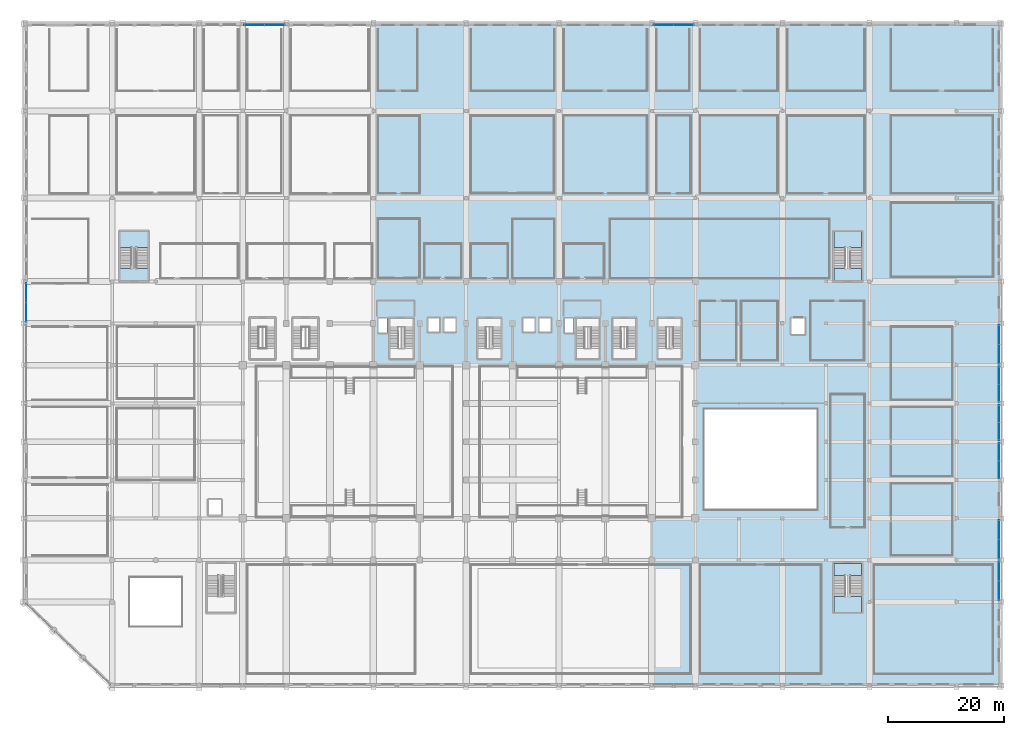
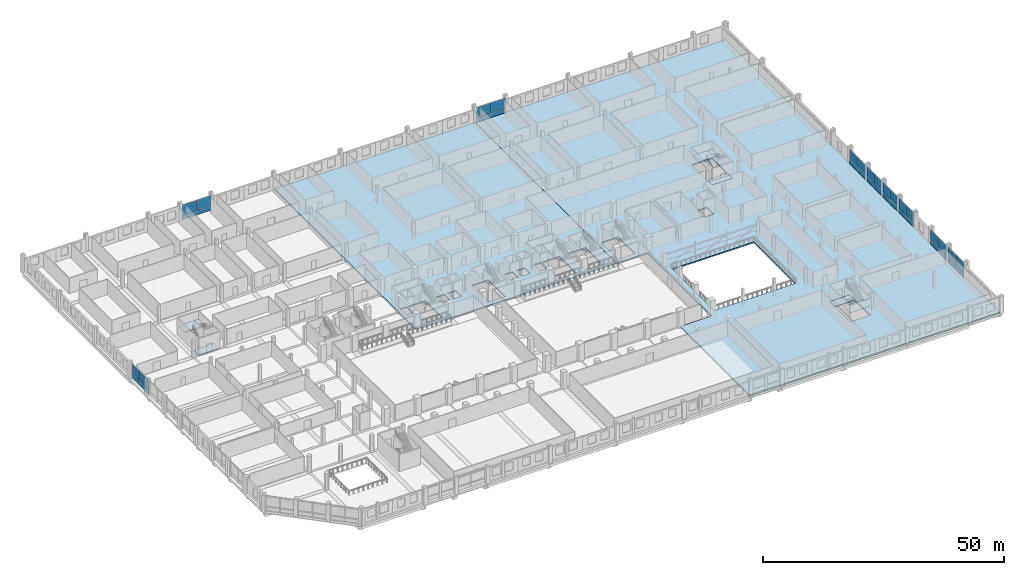
# One storey, part 40 of 68: 27 plates, 8 slabs, 12 elements without a shape of their own.
"""IFC4 building model written with IfcOpenShell, lengths in metres."""

from ifc_helpers import new_model, si_unit, direction, frame, origin, origin_2d, place, context, subcontext, project, spatial, polyline, rectangle, outline, extrude, material, layer, layer_set, type_object, element, aggregate, save


model = new_model("IFC4")

# Units and contexts
model_context = context("Model", 3, precision=1e-05, world=origin(), true_north=direction((0.0, 1.0)))
body_context = subcontext(model_context, "Body", "Model", "MODEL_VIEW")
ifc_project = project(units=[si_unit("LENGTHUNIT", "METRE"), si_unit("AREAUNIT", "SQUARE_METRE"), si_unit("VOLUMEUNIT", "CUBIC_METRE"), si_unit("PLANEANGLEUNIT", "RADIAN"), si_unit("MASSUNIT", "GRAM", prefix="KILO")], contexts=[model_context])

# Site, building, storey
site_placement = place(None, origin())
site = spatial("IfcSite", under=ifc_project, at=site_placement, CompositionType="ELEMENT")
building_placement = place(site_placement, origin())
building = spatial("IfcBuilding", under=site, at=building_placement, Name="Akrevak Sports Hall", CompositionType="ELEMENT")
storey_placement = place(building_placement, frame((0.0, 0.0, 9.39990234375)))
storey = spatial("IfcBuildingStorey", under=building, at=storey_placement, Name="L02", CompositionType="ELEMENT", Elevation=9.39990234375)

# Curtain wall, plates
ifc_material_1 = material(Name="Anodized Bronze Aluminium & Low-E Glass", Category="aluminium")
curtain_wall_type_1 = type_object("IfcCurtainWallType", Name="ARC-CW-POD-70x42", PredefinedType="NOTDEFINED", material=ifc_material_1)
curtain_wall_1_placement = place(storey_placement, origin())
curtain_wall_1 = element("IfcCurtainWall", 1, at=curtain_wall_1_placement, inside=storey, type_object=curtain_wall_type_1, Name="Curtain Wall CW-L02-N06", PredefinedType="NOTDEFINED")
ifc_material_2 = material(Name="Double Low-E Tempered Glass", Category="glass")
ifc_layer_1 = layer(ifc_material_2, 0.035888671875, Name="Double Low-E Tempered Glass")
ifc_layer_set_1 = layer_set([ifc_layer_1], Name="Double Low-E Tempered Glass")
plate_type_1 = type_object("IfcPlateType", Name="ARC-CWP-GLZ-36", PredefinedType="CURTAIN_PANEL", material=ifc_layer_set_1)
plate_1_placement = place(storey_placement, frame((42.987548828125, 113.820068359375, 1.14990234375), z_axis=(0.0, 0.0, 1.0), x_axis=(-1.0, 0.0, 0.0)))
plate_1 = element("IfcPlate", 2, at=plate_1_placement, type_object=plate_type_1, Name="Vision Glass Panel CW-L02-N06-G1", PredefinedType="CURTAIN_PANEL", context=body_context, shape_type="SweptSolid", body=[
    extrude(rectangle(XDim=3.47509765625, YDim=0.035888671875, at=origin_2d()), origin(), (0.0, 0.0, 1.0), 2.590087890625),
])
plate_2_placement = place(storey_placement, frame((39.512451171875, 113.820068359375, 1.14990234375), z_axis=(0.0, 0.0, 1.0), x_axis=(-1.0, 0.0, 0.0)))
plate_2 = element("IfcPlate", 3, at=plate_2_placement, type_object=plate_type_1, Name="Vision Glass Panel CW-L02-N06-G2", PredefinedType="CURTAIN_PANEL", context=body_context, shape_type="SweptSolid", body=[
    extrude(rectangle(XDim=3.47509765625, YDim=0.035888671875, at=origin_2d()), origin(), (0.0, 0.0, 1.0), 2.590087890625),
])

curtain_wall_2_placement = place(storey_placement, origin())
curtain_wall_2 = element("IfcCurtainWall", 4, at=curtain_wall_2_placement, inside=storey, type_object=curtain_wall_type_1, Name="Curtain Wall CW-L02-N15", PredefinedType="NOTDEFINED")
plate_3_placement = place(storey_placement, frame((113.49365234375, 113.820068359375, 1.14990234375), z_axis=(0.0, 0.0, 1.0), x_axis=(-1.0, 0.0, 0.0)))
plate_3 = element("IfcPlate", 5, at=plate_3_placement, type_object=plate_type_1, Name="Vision Glass Panel CW-L02-N15-G1", PredefinedType="CURTAIN_PANEL", context=body_context, shape_type="SweptSolid", body=[
    extrude(rectangle(XDim=3.46240234375, YDim=0.035888671875, at=origin_2d()), origin(), (0.0, 0.0, 1.0), 2.590087890625),
])
plate_4_placement = place(storey_placement, frame((110.03125, 113.820068359375, 1.14990234375), z_axis=(0.0, 0.0, 1.0), x_axis=(-1.0, 0.0, 0.0)))
plate_4 = element("IfcPlate", 6, at=plate_4_placement, type_object=plate_type_1, Name="Vision Glass Panel CW-L02-N15-G2", PredefinedType="CURTAIN_PANEL", context=body_context, shape_type="SweptSolid", body=[
    extrude(rectangle(XDim=3.46240234375, YDim=0.035888671875, at=origin_2d()), origin(), (0.0, 0.0, 1.0), 2.590087890625),
])

curtain_wall_type_2 = type_object("IfcCurtainWallType", Name="ARC-CW-POD-64x42", PredefinedType="NOTDEFINED", material=ifc_material_1)
curtain_wall_3_placement = place(storey_placement, origin())
curtain_wall_3 = element("IfcCurtainWall", 7, at=curtain_wall_3_placement, inside=storey, type_object=curtain_wall_type_2, Name="Curtain Wall CW-L02-W08", PredefinedType="NOTDEFINED")
plate_5_placement = place(storey_placement, frame((0.179931640625, 67.668701171875, 1.14990234375), z_axis=(0.0, 0.0, 1.0), x_axis=(0.0, -1.0, 0.0)))
plate_5 = element("IfcPlate", 8, at=plate_5_placement, type_object=plate_type_1, Name="Vision Glass Panel CW-L02-W08-G1", PredefinedType="CURTAIN_PANEL", context=body_context, shape_type="SweptSolid", body=[
    extrude(rectangle(XDim=3.3125, YDim=0.035888671875, at=origin_2d()), origin(), (0.0, 0.0, 1.0), 2.590087890625),
])
plate_6_placement = place(storey_placement, frame((0.179931640625, 64.356201171875, 1.14990234375), z_axis=(0.0, 0.0, 1.0), x_axis=(0.0, -1.0, 0.0)))
plate_6 = element("IfcPlate", 9, at=plate_6_placement, type_object=plate_type_1, Name="Vision Glass Panel CW-L02-W08-G2", PredefinedType="CURTAIN_PANEL", context=body_context, shape_type="SweptSolid", body=[
    extrude(rectangle(XDim=3.3125, YDim=0.035888671875, at=origin_2d()), origin(), (0.0, 0.0, 1.0), 2.590087890625),
])

curtain_wall_4_placement = place(storey_placement, origin())
curtain_wall_4 = element("IfcCurtainWall", 10, at=curtain_wall_4_placement, inside=storey, type_object=curtain_wall_type_2, Name="Curtain Wall CW-L02-E03", PredefinedType="NOTDEFINED")
plate_7_placement = place(storey_placement, frame((167.820068359375, 16.356201171875, 1.14990234375), z_axis=(0.0, 0.0, 1.0), x_axis=(0.0, 1.0, 0.0)))
plate_7 = element("IfcPlate", 11, at=plate_7_placement, type_object=plate_type_1, Name="Vision Glass Panel CW-L02-E03-G1", PredefinedType="CURTAIN_PANEL", context=body_context, shape_type="SweptSolid", body=[
    extrude(rectangle(XDim=3.3125, YDim=0.035888671875, at=origin_2d()), origin(), (0.0, 0.0, 1.0), 2.590087890625),
])
plate_8_placement = place(storey_placement, frame((167.820068359375, 19.668701171875, 1.14990234375), z_axis=(0.0, 0.0, 1.0), x_axis=(0.0, 1.0, 0.0)))
plate_8 = element("IfcPlate", 12, at=plate_8_placement, type_object=plate_type_1, Name="Vision Glass Panel CW-L02-E03-G2", PredefinedType="CURTAIN_PANEL", context=body_context, shape_type="SweptSolid", body=[
    extrude(rectangle(XDim=3.3125, YDim=0.035888671875, at=origin_2d()), origin(), (0.0, 0.0, 1.0), 2.590087890625),
])

curtain_wall_5_placement = place(storey_placement, origin())
curtain_wall_5 = element("IfcCurtainWall", 13, at=curtain_wall_5_placement, inside=storey, type_object=curtain_wall_type_2, Name="Curtain Wall CW-L02-E04", PredefinedType="NOTDEFINED")
plate_9_placement = place(storey_placement, frame((167.820068359375, 23.53125, 1.14990234375), z_axis=(0.0, 0.0, 1.0), x_axis=(0.0, 1.0, 0.0)))
plate_9 = element("IfcPlate", 14, at=plate_9_placement, type_object=plate_type_1, Name="Vision Glass Panel CW-L02-E04-G1", PredefinedType="CURTAIN_PANEL", context=body_context, shape_type="SweptSolid", body=[
    extrude(rectangle(XDim=3.3125, YDim=0.035888671875, at=origin_2d()), origin(), (0.0, 0.0, 1.0), 2.590087890625),
])
plate_10_placement = place(storey_placement, frame((167.820068359375, 26.84375, 1.14990234375), z_axis=(0.0, 0.0, 1.0), x_axis=(0.0, 1.0, 0.0)))
plate_10 = element("IfcPlate", 15, at=plate_10_placement, type_object=plate_type_1, Name="Vision Glass Panel CW-L02-E04-G2", PredefinedType="CURTAIN_PANEL", context=body_context, shape_type="SweptSolid", body=[
    extrude(rectangle(XDim=3.3125, YDim=0.035888671875, at=origin_2d()), origin(), (0.0, 0.0, 1.0), 2.590087890625),
])

curtain_wall_6_placement = place(storey_placement, origin())
curtain_wall_6 = element("IfcCurtainWall", 16, at=curtain_wall_6_placement, inside=storey, type_object=curtain_wall_type_2, Name="Curtain Wall CW-L02-E06", PredefinedType="NOTDEFINED")
plate_11_placement = place(storey_placement, frame((167.820068359375, 37.18115234375, 1.14990234375), z_axis=(0.0, 0.0, 1.0), x_axis=(0.0, 1.0, 0.0)))
plate_11 = element("IfcPlate", 17, at=plate_11_placement, type_object=plate_type_1, Name="Vision Glass Panel CW-L02-E06-G1", PredefinedType="CURTAIN_PANEL", context=body_context, shape_type="SweptSolid", body=[
    extrude(rectangle(XDim=3.012451171875, YDim=0.035888671875, at=origin_2d()), origin(), (0.0, 0.0, 1.0), 2.590087890625),
])
plate_12_placement = place(storey_placement, frame((167.820068359375, 40.19384765625, 1.14990234375), z_axis=(0.0, 0.0, 1.0), x_axis=(0.0, 1.0, 0.0)))
plate_12 = element("IfcPlate", 18, at=plate_12_placement, type_object=plate_type_1, Name="Vision Glass Panel CW-L02-E06-G2", PredefinedType="CURTAIN_PANEL", context=body_context, shape_type="SweptSolid", body=[
    extrude(rectangle(XDim=3.012451171875, YDim=0.035888671875, at=origin_2d()), origin(), (0.0, 0.0, 1.0), 2.590087890625),
])

curtain_wall_7_placement = place(storey_placement, origin())
curtain_wall_7 = element("IfcCurtainWall", 19, at=curtain_wall_7_placement, inside=storey, type_object=curtain_wall_type_2, Name="Curtain Wall CW-L02-E07", PredefinedType="NOTDEFINED")
plate_13_placement = place(storey_placement, frame((167.820068359375, 43.800048828125, 1.14990234375), z_axis=(0.0, 0.0, 1.0), x_axis=(0.0, 1.0, 0.0)))
plate_13 = element("IfcPlate", 20, at=plate_13_placement, type_object=plate_type_1, Name="Vision Glass Panel CW-L02-E07-G1", PredefinedType="CURTAIN_PANEL", context=body_context, shape_type="SweptSolid", body=[
    extrude(rectangle(XDim=3.0, YDim=0.035888671875, at=origin_2d()), origin(), (0.0, 0.0, 1.0), 2.590087890625),
])
plate_14_placement = place(storey_placement, frame((167.820068359375, 46.800048828125, 1.14990234375), z_axis=(0.0, 0.0, 1.0), x_axis=(0.0, 1.0, 0.0)))
plate_14 = element("IfcPlate", 21, at=plate_14_placement, type_object=plate_type_1, Name="Vision Glass Panel CW-L02-E07-G2", PredefinedType="CURTAIN_PANEL", context=body_context, shape_type="SweptSolid", body=[
    extrude(rectangle(XDim=3.0, YDim=0.035888671875, at=origin_2d()), origin(), (0.0, 0.0, 1.0), 2.590087890625),
])

curtain_wall_8_placement = place(storey_placement, origin())
curtain_wall_8 = element("IfcCurtainWall", 22, at=curtain_wall_8_placement, inside=storey, type_object=curtain_wall_type_2, Name="Curtain Wall CW-L02-E08", PredefinedType="NOTDEFINED")
plate_15_placement = place(storey_placement, frame((167.820068359375, 50.40625, 1.14990234375), z_axis=(0.0, 0.0, 1.0), x_axis=(0.0, 1.0, 0.0)))
plate_15 = element("IfcPlate", 23, at=plate_15_placement, type_object=plate_type_1, Name="Vision Glass Panel CW-L02-E08-G1", PredefinedType="CURTAIN_PANEL", context=body_context, shape_type="SweptSolid", body=[
    extrude(rectangle(XDim=3.012451171875, YDim=0.035888671875, at=origin_2d()), origin(), (0.0, 0.0, 1.0), 2.590087890625),
])
plate_16_placement = place(storey_placement, frame((167.820068359375, 53.418701171875, 1.14990234375), z_axis=(0.0, 0.0, 1.0), x_axis=(0.0, 1.0, 0.0)))
plate_16 = element("IfcPlate", 24, at=plate_16_placement, type_object=plate_type_1, Name="Vision Glass Panel CW-L02-E08-G2", PredefinedType="CURTAIN_PANEL", context=body_context, shape_type="SweptSolid", body=[
    extrude(rectangle(XDim=3.012451171875, YDim=0.035888671875, at=origin_2d()), origin(), (0.0, 0.0, 1.0), 2.590087890625),
])

curtain_wall_9_placement = place(storey_placement, origin())
curtain_wall_9 = element("IfcCurtainWall", 25, at=curtain_wall_9_placement, inside=storey, type_object=curtain_wall_type_2, Name="Curtain Wall CW-L02-E09", PredefinedType="NOTDEFINED")
plate_17_placement = place(storey_placement, frame((167.820068359375, 57.13134765625, 1.14990234375), z_axis=(0.0, 0.0, 1.0), x_axis=(0.0, 1.0, 0.0)))
plate_17 = element("IfcPlate", 26, at=plate_17_placement, type_object=plate_type_1, Name="Vision Glass Panel CW-L02-E09-G1", PredefinedType="CURTAIN_PANEL", context=body_context, shape_type="SweptSolid", body=[
    extrude(rectangle(XDim=3.3125, YDim=0.035888671875, at=origin_2d()), origin(), (0.0, 0.0, 1.0), 2.590087890625),
])
plate_18_placement = place(storey_placement, frame((167.820068359375, 60.44384765625, 1.14990234375), z_axis=(0.0, 0.0, 1.0), x_axis=(0.0, 1.0, 0.0)))
plate_18 = element("IfcPlate", 27, at=plate_18_placement, type_object=plate_type_1, Name="Vision Glass Panel CW-L02-E09-G2", PredefinedType="CURTAIN_PANEL", context=body_context, shape_type="SweptSolid", body=[
    extrude(rectangle(XDim=3.3125, YDim=0.035888671875, at=origin_2d()), origin(), (0.0, 0.0, 1.0), 2.590087890625),
])

# Plate
ifc_material_3 = material(Name="Insulated Bronze Spandrel Panel", Category="aluminium")
ifc_layer_2 = layer(ifc_material_3, 0.0439453125, Name="Insulated Bronze Spandrel Panel")
ifc_layer_set_2 = layer_set([ifc_layer_2], Name="Insulated Bronze Spandrel Panel")
plate_type_2 = type_object("IfcPlateType", Name="ARC-CWP-SPD-44", PredefinedType="CURTAIN_PANEL", material=ifc_layer_set_2)
plate_19_placement = place(storey_placement, frame((41.25, 113.820068359375, 0.000244140625), z_axis=(0.0, 0.0, 1.0), x_axis=(-1.0, 0.0, 0.0)))
plate_19 = element("IfcPlate", 28, at=plate_19_placement, type_object=plate_type_2, Name="Insulated Spandrel Panel CW-L02-N06-S1", PredefinedType="CURTAIN_PANEL", context=body_context, shape_type="SweptSolid", body=[
    extrude(rectangle(XDim=6.949951171875, YDim=0.0439453125, at=origin_2d()), origin(), (0.0, 0.0, 1.0), 1.14990234375),
])

aggregate(curtain_wall_1, [plate_1, plate_2, plate_19])

plate_20_placement = place(storey_placement, frame((111.762451171875, 113.820068359375, 0.000244140625), z_axis=(0.0, 0.0, 1.0), x_axis=(-1.0, 0.0, 0.0)))
plate_20 = element("IfcPlate", 29, at=plate_20_placement, type_object=plate_type_2, Name="Insulated Spandrel Panel CW-L02-N15-S1", PredefinedType="CURTAIN_PANEL", context=body_context, shape_type="SweptSolid", body=[
    extrude(rectangle(XDim=6.925048828125, YDim=0.0439453125, at=origin_2d()), origin(), (0.0, 0.0, 1.0), 1.14990234375),
])

aggregate(curtain_wall_2, [plate_3, plate_4, plate_20])

plate_21_placement = place(storey_placement, frame((0.179931640625, 66.012451171875, 0.000244140625), z_axis=(0.0, 0.0, 1.0), x_axis=(0.0, -1.0, 0.0)))
plate_21 = element("IfcPlate", 30, at=plate_21_placement, type_object=plate_type_2, Name="Insulated Spandrel Panel CW-L02-W08-S1", PredefinedType="CURTAIN_PANEL", context=body_context, shape_type="SweptSolid", body=[
    extrude(rectangle(XDim=6.625, YDim=0.0439453125, at=origin_2d()), origin(), (0.0, 0.0, 1.0), 1.14990234375),
])

aggregate(curtain_wall_3, [plate_5, plate_6, plate_21])

plate_22_placement = place(storey_placement, frame((167.820068359375, 18.012451171875, 0.000244140625), z_axis=(0.0, 0.0, 1.0), x_axis=(0.0, 1.0, 0.0)))
plate_22 = element("IfcPlate", 31, at=plate_22_placement, type_object=plate_type_2, Name="Insulated Spandrel Panel CW-L02-E03-S1", PredefinedType="CURTAIN_PANEL", context=body_context, shape_type="SweptSolid", body=[
    extrude(rectangle(XDim=6.625, YDim=0.0439453125, at=origin_2d()), origin(), (0.0, 0.0, 1.0), 1.14990234375),
])

aggregate(curtain_wall_4, [plate_7, plate_8, plate_22])

plate_23_placement = place(storey_placement, frame((167.820068359375, 25.1875, 0.000244140625), z_axis=(0.0, 0.0, 1.0), x_axis=(0.0, 1.0, 0.0)))
plate_23 = element("IfcPlate", 32, at=plate_23_placement, type_object=plate_type_2, Name="Insulated Spandrel Panel CW-L02-E04-S1", PredefinedType="CURTAIN_PANEL", context=body_context, shape_type="SweptSolid", body=[
    extrude(rectangle(XDim=6.625, YDim=0.0439453125, at=origin_2d()), origin(), (0.0, 0.0, 1.0), 1.14990234375),
])

aggregate(curtain_wall_5, [plate_9, plate_10, plate_23])

plate_24_placement = place(storey_placement, frame((167.820068359375, 38.6875, 0.000244140625), z_axis=(0.0, 0.0, 1.0), x_axis=(0.0, 1.0, 0.0)))
plate_24 = element("IfcPlate", 33, at=plate_24_placement, type_object=plate_type_2, Name="Insulated Spandrel Panel CW-L02-E06-S1", PredefinedType="CURTAIN_PANEL", context=body_context, shape_type="SweptSolid", body=[
    extrude(rectangle(XDim=6.02490234375, YDim=0.0439453125, at=origin_2d()), origin(), (0.0, 0.0, 1.0), 1.14990234375),
])

aggregate(curtain_wall_6, [plate_11, plate_12, plate_24])

plate_25_placement = place(storey_placement, frame((167.820068359375, 45.300048828125, 0.000244140625), z_axis=(0.0, 0.0, 1.0), x_axis=(0.0, 1.0, 0.0)))
plate_25 = element("IfcPlate", 34, at=plate_25_placement, type_object=plate_type_2, Name="Insulated Spandrel Panel CW-L02-E07-S1", PredefinedType="CURTAIN_PANEL", context=body_context, shape_type="SweptSolid", body=[
    extrude(rectangle(XDim=6.0, YDim=0.0439453125, at=origin_2d()), origin(), (0.0, 0.0, 1.0), 1.14990234375),
])

aggregate(curtain_wall_7, [plate_13, plate_14, plate_25])

plate_26_placement = place(storey_placement, frame((167.820068359375, 51.91259765625, 0.000244140625), z_axis=(0.0, 0.0, 1.0), x_axis=(0.0, 1.0, 0.0)))
plate_26 = element("IfcPlate", 35, at=plate_26_placement, type_object=plate_type_2, Name="Insulated Spandrel Panel CW-L02-E08-S1", PredefinedType="CURTAIN_PANEL", context=body_context, shape_type="SweptSolid", body=[
    extrude(rectangle(XDim=6.02490234375, YDim=0.0439453125, at=origin_2d()), origin(), (0.0, 0.0, 1.0), 1.14990234375),
])

aggregate(curtain_wall_8, [plate_15, plate_16, plate_26])

plate_27_placement = place(storey_placement, frame((167.820068359375, 58.78759765625, 0.000244140625), z_axis=(0.0, 0.0, 1.0), x_axis=(0.0, 1.0, 0.0)))
plate_27 = element("IfcPlate", 36, at=plate_27_placement, type_object=plate_type_2, Name="Insulated Spandrel Panel CW-L02-E09-S1", PredefinedType="CURTAIN_PANEL", context=body_context, shape_type="SweptSolid", body=[
    extrude(rectangle(XDim=6.625, YDim=0.0439453125, at=origin_2d()), origin(), (0.0, 0.0, 1.0), 1.14990234375),
])

aggregate(curtain_wall_9, [plate_17, plate_18, plate_27])

# Slabs
ifc_material_4 = material(Name="Concrete C40/50", Category="concrete")
ifc_layer_3 = layer(ifc_material_4, 0.320068359375, Name="Concrete C40/50")
ifc_layer_set_3 = layer_set([ifc_layer_3], Name="Concrete C40/50")
slab_type_1 = type_object("IfcSlabType", Name="STR-SLB-FLR-320", PredefinedType="FLOOR", material=ifc_layer_set_3)
slab_1_placement = place(storey_placement, frame((0.0, 0.0, -0.31982421875)))
element("IfcSlab", 37, at=slab_1_placement, inside=storey, type_object=slab_type_1, Name="Podium Floor Slab L02 Sector 2.1", PredefinedType="FLOOR", context=body_context, shape_type="SweptSolid", body=[
    extrude(outline(polyline([(60.0, 114.0), (60.0, 55.199951171875), (108.0, 55.199951171875), (108.0, 114.0), (60.0, 114.0)]), holes=[polyline([(66.85009765625, 63.25), (66.85009765625, 56.300048828125), (62.85009765625, 56.300048828125), (62.85009765625, 63.25), (66.85009765625, 63.25)]), polyline([(82.0, 63.25), (82.0, 56.300048828125), (78.0, 56.300048828125), (78.0, 63.25), (82.0, 63.25)]), polyline([(62.3798828125, 63.280029296875), (62.3798828125, 60.77001953125), (60.8701171875, 60.77001953125), (60.8701171875, 63.280029296875), (62.3798828125, 63.280029296875)]), polyline([(71.3798828125, 60.919921875), (69.419921875, 60.919921875), (69.419921875, 63.280029296875), (71.3798828125, 63.280029296875), (71.3798828125, 60.919921875)]), polyline([(74.179931640625, 60.919921875), (72.219970703125, 60.919921875), (72.219970703125, 63.280029296875), (74.179931640625, 63.280029296875), (74.179931640625, 60.919921875)]), polyline([(98.949951171875, 56.300048828125), (94.949951171875, 56.300048828125), (94.949951171875, 63.25), (98.949951171875, 63.25), (98.949951171875, 56.300048828125)]), polyline([(105.25, 56.300048828125), (101.25, 56.300048828125), (101.25, 63.25), (105.25, 63.25), (105.25, 56.300048828125)]), polyline([(94.47998046875, 60.77001953125), (92.969970703125, 60.77001953125), (92.969970703125, 63.280029296875), (94.47998046875, 63.280029296875), (94.47998046875, 60.77001953125)]), polyline([(87.780029296875, 63.280029296875), (87.780029296875, 60.919921875), (85.820068359375, 60.919921875), (85.820068359375, 63.280029296875), (87.780029296875, 63.280029296875)]), polyline([(90.580078125, 60.919921875), (88.6201171875, 60.919921875), (88.6201171875, 63.280029296875), (90.580078125, 63.280029296875), (90.580078125, 60.919921875)])]), origin(), (0.0, 0.0, 1.0), 0.31982421875),
])
slab_2_placement = place(storey_placement, frame((0.0, 0.0, -0.31982421875)))
element("IfcSlab", 38, at=slab_2_placement, inside=storey, type_object=slab_type_1, Name="Podium Floor Slab L02 Sector 3.1", PredefinedType="FLOOR", context=body_context, shape_type="SweptSolid", body=[
    extrude(outline(polyline([(108.0, 114.0), (108.0, 55.199951171875), (115.5, 55.199951171875), (115.5, 28.800048828125), (108.0, 28.800048828125), (108.0, 0.0), (168.0, 0.0), (168.0, 114.0), (108.0, 114.0)]), holes=[polyline([(144.14990234375, 21.050048828125), (144.14990234375, 12.60009765625), (139.35009765625, 12.60009765625), (139.35009765625, 21.050048828125), (144.14990234375, 21.050048828125)]), polyline([(136.5, 47.60009765625), (136.5, 30.300048828125), (117.0, 30.300048828125), (117.0, 47.60009765625), (136.5, 47.60009765625)]), polyline([(113.050048828125, 63.25), (113.050048828125, 56.300048828125), (109.050048828125, 56.300048828125), (109.050048828125, 63.25), (113.050048828125, 63.25)]), polyline([(134.3798828125, 60.52001953125), (132.02001953125, 60.52001953125), (132.02001953125, 63.280029296875), (134.3798828125, 63.280029296875), (134.3798828125, 60.52001953125)]), polyline([(144.14990234375, 69.75), (139.35009765625, 69.75), (139.35009765625, 78.199951171875), (144.14990234375, 78.199951171875), (144.14990234375, 69.75)])]), origin(), (0.0, 0.0, 1.0), 0.31982421875),
])

# Stair, slab
stair_type = type_object("IfcStairType", Name="ARC-STR-PDOG-460", PredefinedType="HALF_TURN_STAIR", material=ifc_material_4)
stair_1_placement = place(storey_placement, origin())
stair_1 = element("IfcStair", 39, at=stair_1_placement, inside=storey, type_object=stair_type, Name="Podium NW Exit Stair ST6 (L02 to L03)", PredefinedType="HALF_TURN_STAIR")
ifc_layer_4 = layer(ifc_material_4, 0.199951171875, Name="Concrete C40/50")
ifc_layer_set_4 = layer_set([ifc_layer_4], Name="Concrete C40/50")
slab_type_2 = type_object("IfcSlabType", Name="STR-SLB-LAND-200", PredefinedType="LANDING", material=ifc_layer_set_4)
slab_3_placement = place(storey_placement, frame((0.0, 0.0, 2.10009765625)))
slab_3 = element("IfcSlab", 40, at=slab_3_placement, type_object=slab_type_2, Name="Stair ST6 Half-Landing 1 (L02)", PredefinedType="LANDING", context=body_context, shape_type="SweptSolid", body=[
    extrude(outline(polyline([(16.35009765625, 75.489990234375), (21.14990234375, 75.489990234375), (21.14990234375, 78.199951171875), (16.35009765625, 78.199951171875), (16.35009765625, 75.489990234375)])), origin(), (0.0, 0.0, 1.0), 0.199951171875),
])
aggregate(stair_1, [slab_3])

stair_2_placement = place(storey_placement, origin())
stair_2 = element("IfcStair", 41, at=stair_2_placement, inside=storey, type_object=stair_type, Name="Podium SE Exit Stair ST7 (L02 to L03)", PredefinedType="HALF_TURN_STAIR")
slab_4_placement = place(storey_placement, frame((0.0, 0.0, 2.10009765625)))
slab_4 = element("IfcSlab", 42, at=slab_4_placement, type_object=slab_type_2, Name="Stair ST7 Half-Landing 1 (L02)", PredefinedType="LANDING", context=body_context, shape_type="SweptSolid", body=[
    extrude(outline(polyline([(139.35009765625, 12.60009765625), (144.14990234375, 12.60009765625), (144.14990234375, 15.31005859375), (139.35009765625, 15.31005859375), (139.35009765625, 12.60009765625)])), origin(), (0.0, 0.0, 1.0), 0.199951171875),
])
aggregate(stair_2, [slab_4])

stair_3_placement = place(storey_placement, origin())
stair_3 = element("IfcStair", 43, at=stair_3_placement, inside=storey, type_object=stair_type, Name="Podium NE Exit Stair ST8 (L02 to L03)", PredefinedType="HALF_TURN_STAIR")
slab_5_placement = place(storey_placement, frame((0.0, 0.0, 2.10009765625)))
slab_5 = element("IfcSlab", 44, at=slab_5_placement, type_object=slab_type_2, Name="Stair ST8 Half-Landing 1 (L02)", PredefinedType="LANDING", context=body_context, shape_type="SweptSolid", body=[
    extrude(outline(polyline([(139.35009765625, 75.489990234375), (144.14990234375, 75.489990234375), (144.14990234375, 78.199951171875), (139.35009765625, 78.199951171875), (139.35009765625, 75.489990234375)])), origin(), (0.0, 0.0, 1.0), 0.199951171875),
])
aggregate(stair_3, [slab_5])

# Slabs
ifc_layer_5 = layer(ifc_material_4, 0.219970703125, Name="Concrete C40/50")
ifc_layer_set_5 = layer_set([ifc_layer_5], Name="Concrete C40/50")
slab_type_3 = type_object("IfcSlabType", Name="STR-SLB-LAND-220", PredefinedType="LANDING", material=ifc_layer_set_5)
slab_6_placement = place(storey_placement, frame((0.0, 0.0, -0.219970703125)))
element("IfcSlab", 45, at=slab_6_placement, inside=storey, type_object=slab_type_3, Name="Stair ST6 Floor Landing (L02)", PredefinedType="LANDING", context=body_context, shape_type="SweptSolid", body=[
    extrude(outline(polyline([(16.35009765625, 69.75), (21.14990234375, 69.75), (21.14990234375, 71.85009765625), (16.35009765625, 71.85009765625), (16.35009765625, 69.75)])), origin(), (0.0, 0.0, 1.0), 0.219970703125),
])
slab_7_placement = place(storey_placement, frame((0.0, 0.0, -0.219970703125)))
element("IfcSlab", 46, at=slab_7_placement, inside=storey, type_object=slab_type_3, Name="Stair ST7 Floor Landing (L02)", PredefinedType="LANDING", context=body_context, shape_type="SweptSolid", body=[
    extrude(outline(polyline([(139.35009765625, 18.949951171875), (144.14990234375, 18.949951171875), (144.14990234375, 21.050048828125), (139.35009765625, 21.050048828125), (139.35009765625, 18.949951171875)])), origin(), (0.0, 0.0, 1.0), 0.219970703125),
])
slab_8_placement = place(storey_placement, frame((0.0, 0.0, -0.219970703125)))
element("IfcSlab", 47, at=slab_8_placement, inside=storey, type_object=slab_type_3, Name="Stair ST8 Floor Landing (L02)", PredefinedType="LANDING", context=body_context, shape_type="SweptSolid", body=[
    extrude(outline(polyline([(139.35009765625, 69.75), (144.14990234375, 69.75), (144.14990234375, 71.85009765625), (139.35009765625, 71.85009765625), (139.35009765625, 69.75)])), origin(), (0.0, 0.0, 1.0), 0.219970703125),
])

save(model, "model.ifc")
